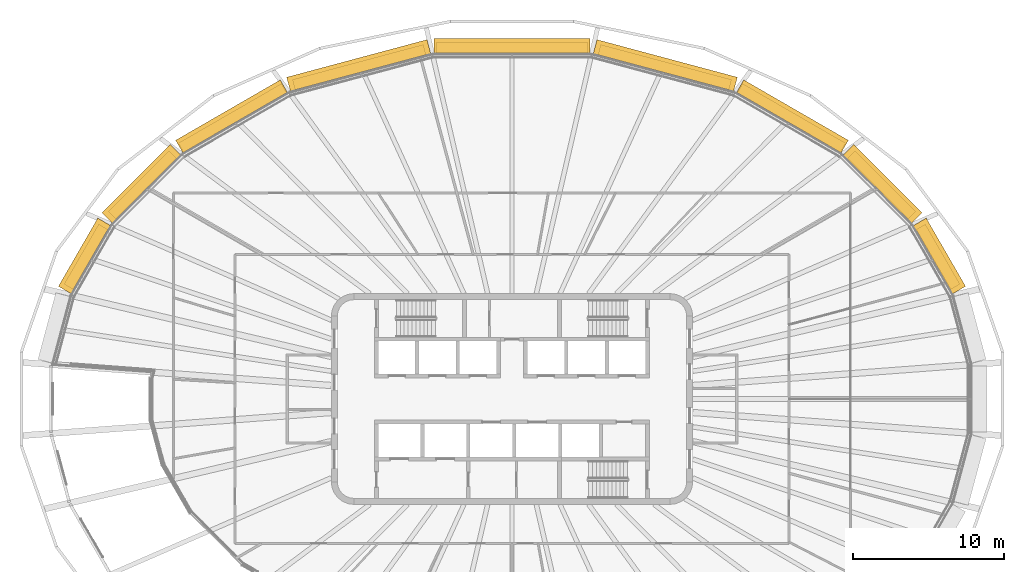
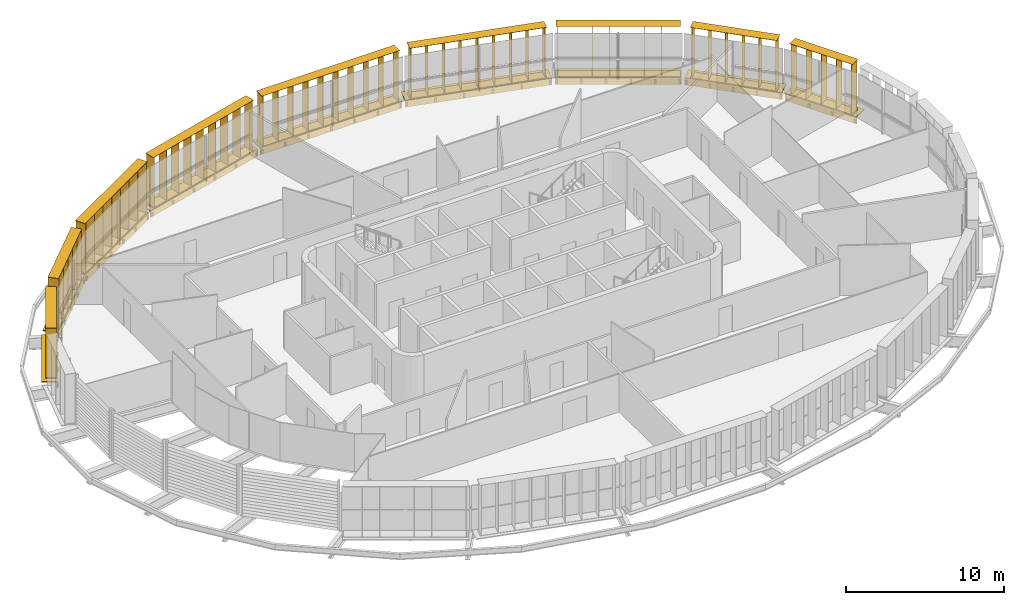
# One storey, part 20 of 20: 18 shading devices.
"""IFC4 building model written with IfcOpenShell, lengths in metres."""

from ifc_helpers import new_model, si_unit, direction, frame, origin, origin_2d, place, context, subcontext, project, spatial, rectangle, extrude, material, type_object, element, save


model = new_model("IFC4")

# Units and contexts
model_context = context("Model", 3, precision=1e-05, world=origin(), true_north=direction((0.0, 1.0)))
body_context = subcontext(model_context, "Body", "Model", "MODEL_VIEW")
ifc_project = project(units=[si_unit("LENGTHUNIT", "METRE"), si_unit("AREAUNIT", "SQUARE_METRE"), si_unit("VOLUMEUNIT", "CUBIC_METRE"), si_unit("PLANEANGLEUNIT", "RADIAN"), si_unit("MASSUNIT", "GRAM", prefix="KILO")], contexts=[model_context])

# Site, building, storey
site_placement = place(None, origin())
site = spatial("IfcSite", under=ifc_project, at=site_placement, CompositionType="ELEMENT")
building_placement = place(site_placement, origin())
building = spatial("IfcBuilding", under=site, at=building_placement, Name="Sahrelin Media Tower", CompositionType="ELEMENT")
storey_placement = place(building_placement, frame((0.0, 0.0, 225.60009765625)))
storey = spatial("IfcBuildingStorey", under=building, at=storey_placement, Name="L48", CompositionType="ELEMENT", Elevation=225.60009765625)

# Shading devices
ifc_material = material(Name="Champagne anodised aluminium 6063-T6", Category="aluminium")
shading_device_type_1 = type_object("IfcShadingDeviceType", Name="Fin cassette", PredefinedType="USERDEFINED", material=ifc_material)
placement_1 = place(storey_placement, frame((27.927978515625, 9.235595703125, 0.0), z_axis=(0.0, 0.0, 1.0), x_axis=(0.500011000363, -0.866019052629, 0.0)))
element("IfcShadingDevice", 1, at=placement_1, inside=storey, type_object=shading_device_type_1, Name="L48:FIN:L48-02", ObjectType="FIN", PredefinedType="USERDEFINED", context=body_context, shape_type="SweptSolid", body=[
    extrude(rectangle(XDim=4.60009765625, YDim=0.699951171875, at=origin_2d()), frame((0.0, 0.419921875, 0.0)), (0.0, 0.0, 1.0), 0.02001953125),
    extrude(rectangle(XDim=4.60009765625, YDim=0.699951171875, at=origin_2d()), frame((0.0, 0.419921875, 3.89990234375)), (0.0, 0.0, 1.0), 0.02001953125),
    extrude(rectangle(XDim=0.02001953125, YDim=0.699951171875, at=origin_2d()), frame((-2.199951171875, 0.419921875, 0.010009765625), z_axis=(0.0, 0.0, 1.0), x_axis=(1.0, 0.0, 0.0)), (0.0, 0.0, 1.0), 3.89990234375),
    extrude(rectangle(XDim=0.02001953125, YDim=0.699951171875, at=origin_2d()), frame((-1.10009765625, 0.419921875, 0.010009765625), z_axis=(0.0, 0.0, 1.0), x_axis=(1.0, 0.0, 0.0)), (0.0, 0.0, 1.0), 3.89990234375),
    extrude(rectangle(XDim=0.02001953125, YDim=0.699951171875, at=origin_2d()), frame((0.0, 0.419921875, 0.010009765625), z_axis=(0.0, 0.0, 1.0), x_axis=(1.0, 0.0, 0.0)), (0.0, 0.0, 1.0), 3.89990234375),
    extrude(rectangle(XDim=0.02001953125, YDim=0.699951171875, at=origin_2d()), frame((1.10009765625, 0.419921875, 0.010009765625), z_axis=(0.0, 0.0, 1.0), x_axis=(1.0, 0.0, 0.0)), (0.0, 0.0, 1.0), 3.89990234375),
    extrude(rectangle(XDim=0.02001953125, YDim=0.699951171875, at=origin_2d()), frame((2.199951171875, 0.419921875, 0.010009765625), z_axis=(0.0, 0.0, 1.0), x_axis=(1.0, 0.0, 0.0)), (0.0, 0.0, 1.0), 3.89990234375),
])
placement_2 = place(storey_placement, frame((24.240478515625, 13.916015625, 0.0), z_axis=(0.0, 0.0, 1.0), x_axis=(0.707106781187, -0.707106781187, 0.0)))
element("IfcShadingDevice", 2, at=placement_2, inside=storey, type_object=shading_device_type_1, Name="L48:FIN:L48-03", ObjectType="FIN", PredefinedType="USERDEFINED", context=body_context, shape_type="SweptSolid", body=[
    extrude(rectangle(XDim=5.699951171875, YDim=0.699951171875, at=origin_2d()), frame((0.0, 0.419921875, 0.0)), (0.0, 0.0, 1.0), 0.02001953125),
    extrude(rectangle(XDim=5.699951171875, YDim=0.699951171875, at=origin_2d()), frame((0.0, 0.419921875, 3.89990234375)), (0.0, 0.0, 1.0), 0.02001953125),
    extrude(rectangle(XDim=0.02001953125, YDim=0.699951171875, at=origin_2d()), frame((-2.75, 0.419921875, 0.010009765625), z_axis=(0.0, 0.0, 1.0), x_axis=(1.0, 0.0, 0.0)), (0.0, 0.0, 1.0), 3.89990234375),
    extrude(rectangle(XDim=0.02001953125, YDim=0.699951171875, at=origin_2d()), frame((-1.64990234375, 0.419921875, 0.010009765625), z_axis=(0.0, 0.0, 1.0), x_axis=(1.0, 0.0, 0.0)), (0.0, 0.0, 1.0), 3.89990234375),
    extrude(rectangle(XDim=0.02001953125, YDim=0.699951171875, at=origin_2d()), frame((-0.550048828125, 0.419921875, 0.010009765625), z_axis=(0.0, 0.0, 1.0), x_axis=(1.0, 0.0, 0.0)), (0.0, 0.0, 1.0), 3.89990234375),
    extrude(rectangle(XDim=0.02001953125, YDim=0.699951171875, at=origin_2d()), frame((0.550048828125, 0.419921875, 0.010009765625), z_axis=(0.0, 0.0, 1.0), x_axis=(1.0, 0.0, 0.0)), (0.0, 0.0, 1.0), 3.89990234375),
    extrude(rectangle(XDim=0.02001953125, YDim=0.699951171875, at=origin_2d()), frame((1.64990234375, 0.419921875, 0.010009765625), z_axis=(0.0, 0.0, 1.0), x_axis=(1.0, 0.0, 0.0)), (0.0, 0.0, 1.0), 3.89990234375),
    extrude(rectangle(XDim=0.02001953125, YDim=0.699951171875, at=origin_2d()), frame((2.75, 0.419921875, 0.010009765625), z_axis=(0.0, 0.0, 1.0), x_axis=(1.0, 0.0, 0.0)), (0.0, 0.0, 1.0), 3.89990234375),
])
placement_3 = place(storey_placement, frame((18.352294921875, 18.30078125, 0.0), z_axis=(0.0, 0.0, 1.0), x_axis=(0.866019052629, -0.500011000363, 0.0)))
element("IfcShadingDevice", 3, at=placement_3, inside=storey, type_object=shading_device_type_1, Name="L48:FIN:L48-04", ObjectType="FIN", PredefinedType="USERDEFINED", context=body_context, shape_type="SweptSolid", body=[
    extrude(rectangle(XDim=7.89990234375, YDim=0.699951171875, at=origin_2d()), frame((0.0, 0.419921875, 0.0)), (0.0, 0.0, 1.0), 0.02001953125),
    extrude(rectangle(XDim=7.89990234375, YDim=0.699951171875, at=origin_2d()), frame((0.0, 0.419921875, 3.89990234375)), (0.0, 0.0, 1.0), 0.02001953125),
    extrude(rectangle(XDim=0.02001953125, YDim=0.699951171875, at=origin_2d()), frame((-3.85009765625, 0.419921875, 0.010009765625), z_axis=(0.0, 0.0, 1.0), x_axis=(1.0, 0.0, 0.0)), (0.0, 0.0, 1.0), 3.89990234375),
    extrude(rectangle(XDim=0.02001953125, YDim=0.699951171875, at=origin_2d()), frame((-2.75, 0.419921875, 0.010009765625), z_axis=(0.0, 0.0, 1.0), x_axis=(1.0, 0.0, 0.0)), (0.0, 0.0, 1.0), 3.89990234375),
    extrude(rectangle(XDim=0.02001953125, YDim=0.699951171875, at=origin_2d()), frame((-1.64990234375, 0.419921875, 0.010009765625), z_axis=(0.0, 0.0, 1.0), x_axis=(1.0, 0.0, 0.0)), (0.0, 0.0, 1.0), 3.89990234375),
    extrude(rectangle(XDim=0.02001953125, YDim=0.699951171875, at=origin_2d()), frame((-0.550048828125, 0.419921875, 0.010009765625), z_axis=(0.0, 0.0, 1.0), x_axis=(1.0, 0.0, 0.0)), (0.0, 0.0, 1.0), 3.89990234375),
    extrude(rectangle(XDim=0.02001953125, YDim=0.699951171875, at=origin_2d()), frame((0.550048828125, 0.419921875, 0.010009765625), z_axis=(0.0, 0.0, 1.0), x_axis=(1.0, 0.0, 0.0)), (0.0, 0.0, 1.0), 3.89990234375),
    extrude(rectangle(XDim=0.02001953125, YDim=0.699951171875, at=origin_2d()), frame((1.64990234375, 0.419921875, 0.010009765625), z_axis=(0.0, 0.0, 1.0), x_axis=(1.0, 0.0, 0.0)), (0.0, 0.0, 1.0), 3.89990234375),
    extrude(rectangle(XDim=0.02001953125, YDim=0.699951171875, at=origin_2d()), frame((2.75, 0.419921875, 0.010009765625), z_axis=(0.0, 0.0, 1.0), x_axis=(1.0, 0.0, 0.0)), (0.0, 0.0, 1.0), 3.89990234375),
    extrude(rectangle(XDim=0.02001953125, YDim=0.699951171875, at=origin_2d()), frame((3.85009765625, 0.419921875, 0.010009765625), z_axis=(0.0, 0.0, 1.0), x_axis=(1.0, 0.0, 0.0)), (0.0, 0.0, 1.0), 3.89990234375),
])
placement_4 = place(storey_placement, frame((10.039794921875, 21.62890625, 0.0), z_axis=(0.0, 0.0, 1.0), x_axis=(0.965928857556, -0.258807731996, 0.0)))
element("IfcShadingDevice", 4, at=placement_4, inside=storey, type_object=shading_device_type_1, Name="L48:FIN:L48-05", ObjectType="FIN", PredefinedType="USERDEFINED", context=body_context, shape_type="SweptSolid", body=[
    extrude(rectangle(XDim=9.0, YDim=0.699951171875, at=origin_2d()), frame((0.0, 0.419921875, 0.0)), (0.0, 0.0, 1.0), 0.02001953125),
    extrude(rectangle(XDim=9.0, YDim=0.699951171875, at=origin_2d()), frame((0.0, 0.419921875, 3.89990234375)), (0.0, 0.0, 1.0), 0.02001953125),
    extrude(rectangle(XDim=0.02001953125, YDim=0.699951171875, at=origin_2d()), frame((-4.39990234375, 0.419921875, 0.010009765625), z_axis=(0.0, 0.0, 1.0), x_axis=(1.0, 0.0, 0.0)), (0.0, 0.0, 1.0), 3.89990234375),
    extrude(rectangle(XDim=0.02001953125, YDim=0.699951171875, at=origin_2d()), frame((-3.300048828125, 0.419921875, 0.010009765625), z_axis=(0.0, 0.0, 1.0), x_axis=(1.0, 0.0, 0.0)), (0.0, 0.0, 1.0), 3.89990234375),
    extrude(rectangle(XDim=0.02001953125, YDim=0.699951171875, at=origin_2d()), frame((-2.199951171875, 0.419921875, 0.010009765625), z_axis=(0.0, 0.0, 1.0), x_axis=(1.0, 0.0, 0.0)), (0.0, 0.0, 1.0), 3.89990234375),
    extrude(rectangle(XDim=0.02001953125, YDim=0.699951171875, at=origin_2d()), frame((-1.10009765625, 0.419921875, 0.010009765625), z_axis=(0.0, 0.0, 1.0), x_axis=(1.0, 0.0, 0.0)), (0.0, 0.0, 1.0), 3.89990234375),
    extrude(rectangle(XDim=0.02001953125, YDim=0.699951171875, at=origin_2d()), frame((0.0, 0.419921875, 0.010009765625), z_axis=(0.0, 0.0, 1.0), x_axis=(1.0, 0.0, 0.0)), (0.0, 0.0, 1.0), 3.89990234375),
    extrude(rectangle(XDim=0.02001953125, YDim=0.699951171875, at=origin_2d()), frame((1.10009765625, 0.419921875, 0.010009765625), z_axis=(0.0, 0.0, 1.0), x_axis=(1.0, 0.0, 0.0)), (0.0, 0.0, 1.0), 3.89990234375),
    extrude(rectangle(XDim=0.02001953125, YDim=0.699951171875, at=origin_2d()), frame((2.199951171875, 0.419921875, 0.010009765625), z_axis=(0.0, 0.0, 1.0), x_axis=(1.0, 0.0, 0.0)), (0.0, 0.0, 1.0), 3.89990234375),
    extrude(rectangle(XDim=0.02001953125, YDim=0.699951171875, at=origin_2d()), frame((3.300048828125, 0.419921875, 0.010009765625), z_axis=(0.0, 0.0, 1.0), x_axis=(1.0, 0.0, 0.0)), (0.0, 0.0, 1.0), 3.89990234375),
    extrude(rectangle(XDim=0.02001953125, YDim=0.699951171875, at=origin_2d()), frame((4.39990234375, 0.419921875, 0.010009765625), z_axis=(0.0, 0.0, 1.0), x_axis=(1.0, 0.0, 0.0)), (0.0, 0.0, 1.0), 3.89990234375),
])
placement_5 = place(storey_placement, frame((0.0, 22.90283203125, 0.0), z_axis=(0.0, 0.0, 1.0), x_axis=(1.0, 0.0, 0.0)))
element("IfcShadingDevice", 5, at=placement_5, inside=storey, type_object=shading_device_type_1, Name="L48:FIN:L48-06", ObjectType="FIN", PredefinedType="USERDEFINED", context=body_context, shape_type="SweptSolid", body=[
    extrude(rectangle(XDim=10.10009765625, YDim=0.699951171875, at=origin_2d()), frame((0.0, 0.419921875, 0.0)), (0.0, 0.0, 1.0), 0.02001953125),
    extrude(rectangle(XDim=10.10009765625, YDim=0.699951171875, at=origin_2d()), frame((0.0, 0.419921875, 3.89990234375)), (0.0, 0.0, 1.0), 0.02001953125),
    extrude(rectangle(XDim=0.02001953125, YDim=0.699951171875, at=origin_2d()), frame((-4.949951171875, 0.419921875, 0.010009765625), z_axis=(0.0, 0.0, 1.0), x_axis=(1.0, 0.0, 0.0)), (0.0, 0.0, 1.0), 3.89990234375),
    extrude(rectangle(XDim=0.02001953125, YDim=0.699951171875, at=origin_2d()), frame((-3.85009765625, 0.419921875, 0.010009765625), z_axis=(0.0, 0.0, 1.0), x_axis=(1.0, 0.0, 0.0)), (0.0, 0.0, 1.0), 3.89990234375),
    extrude(rectangle(XDim=0.02001953125, YDim=0.699951171875, at=origin_2d()), frame((-2.75, 0.419921875, 0.010009765625), z_axis=(0.0, 0.0, 1.0), x_axis=(1.0, 0.0, 0.0)), (0.0, 0.0, 1.0), 3.89990234375),
    extrude(rectangle(XDim=0.02001953125, YDim=0.699951171875, at=origin_2d()), frame((-1.64990234375, 0.419921875, 0.010009765625), z_axis=(0.0, 0.0, 1.0), x_axis=(1.0, 0.0, 0.0)), (0.0, 0.0, 1.0), 3.89990234375),
    extrude(rectangle(XDim=0.02001953125, YDim=0.699951171875, at=origin_2d()), frame((-0.550048828125, 0.419921875, 0.010009765625), z_axis=(0.0, 0.0, 1.0), x_axis=(1.0, 0.0, 0.0)), (0.0, 0.0, 1.0), 3.89990234375),
    extrude(rectangle(XDim=0.02001953125, YDim=0.699951171875, at=origin_2d()), frame((0.550048828125, 0.419921875, 0.010009765625), z_axis=(0.0, 0.0, 1.0), x_axis=(1.0, 0.0, 0.0)), (0.0, 0.0, 1.0), 3.89990234375),
    extrude(rectangle(XDim=0.02001953125, YDim=0.699951171875, at=origin_2d()), frame((1.64990234375, 0.419921875, 0.010009765625), z_axis=(0.0, 0.0, 1.0), x_axis=(1.0, 0.0, 0.0)), (0.0, 0.0, 1.0), 3.89990234375),
    extrude(rectangle(XDim=0.02001953125, YDim=0.699951171875, at=origin_2d()), frame((2.75, 0.419921875, 0.010009765625), z_axis=(0.0, 0.0, 1.0), x_axis=(1.0, 0.0, 0.0)), (0.0, 0.0, 1.0), 3.89990234375),
    extrude(rectangle(XDim=0.02001953125, YDim=0.699951171875, at=origin_2d()), frame((3.85009765625, 0.419921875, 0.010009765625), z_axis=(0.0, 0.0, 1.0), x_axis=(1.0, 0.0, 0.0)), (0.0, 0.0, 1.0), 3.89990234375),
    extrude(rectangle(XDim=0.02001953125, YDim=0.699951171875, at=origin_2d()), frame((4.949951171875, 0.419921875, 0.010009765625), z_axis=(0.0, 0.0, 1.0), x_axis=(1.0, 0.0, 0.0)), (0.0, 0.0, 1.0), 3.89990234375),
])
placement_6 = place(storey_placement, frame((-10.039794921875, 21.628662109375, 0.0), z_axis=(0.0, 0.0, 1.0), x_axis=(0.965928857556, 0.258807731996, 0.0)))
element("IfcShadingDevice", 6, at=placement_6, inside=storey, type_object=shading_device_type_1, Name="L48:FIN:L48-07", ObjectType="FIN", PredefinedType="USERDEFINED", context=body_context, shape_type="SweptSolid", body=[
    extrude(rectangle(XDim=9.0, YDim=0.699951171875, at=origin_2d()), frame((0.0, 0.419921875, 0.0)), (0.0, 0.0, 1.0), 0.02001953125),
    extrude(rectangle(XDim=9.0, YDim=0.699951171875, at=origin_2d()), frame((0.0, 0.419921875, 3.89990234375)), (0.0, 0.0, 1.0), 0.02001953125),
    extrude(rectangle(XDim=0.02001953125, YDim=0.699951171875, at=origin_2d()), frame((-4.39990234375, 0.419921875, 0.010009765625), z_axis=(0.0, 0.0, 1.0), x_axis=(1.0, 0.0, 0.0)), (0.0, 0.0, 1.0), 3.89990234375),
    extrude(rectangle(XDim=0.02001953125, YDim=0.699951171875, at=origin_2d()), frame((-3.300048828125, 0.419921875, 0.010009765625), z_axis=(0.0, 0.0, 1.0), x_axis=(1.0, 0.0, 0.0)), (0.0, 0.0, 1.0), 3.89990234375),
    extrude(rectangle(XDim=0.02001953125, YDim=0.699951171875, at=origin_2d()), frame((-2.199951171875, 0.419921875, 0.010009765625), z_axis=(0.0, 0.0, 1.0), x_axis=(1.0, 0.0, 0.0)), (0.0, 0.0, 1.0), 3.89990234375),
    extrude(rectangle(XDim=0.02001953125, YDim=0.699951171875, at=origin_2d()), frame((-1.10009765625, 0.419921875, 0.010009765625), z_axis=(0.0, 0.0, 1.0), x_axis=(1.0, 0.0, 0.0)), (0.0, 0.0, 1.0), 3.89990234375),
    extrude(rectangle(XDim=0.02001953125, YDim=0.699951171875, at=origin_2d()), frame((0.0, 0.419921875, 0.010009765625), z_axis=(0.0, 0.0, 1.0), x_axis=(1.0, 0.0, 0.0)), (0.0, 0.0, 1.0), 3.89990234375),
    extrude(rectangle(XDim=0.02001953125, YDim=0.699951171875, at=origin_2d()), frame((1.10009765625, 0.419921875, 0.010009765625), z_axis=(0.0, 0.0, 1.0), x_axis=(1.0, 0.0, 0.0)), (0.0, 0.0, 1.0), 3.89990234375),
    extrude(rectangle(XDim=0.02001953125, YDim=0.699951171875, at=origin_2d()), frame((2.199951171875, 0.419921875, 0.010009765625), z_axis=(0.0, 0.0, 1.0), x_axis=(1.0, 0.0, 0.0)), (0.0, 0.0, 1.0), 3.89990234375),
    extrude(rectangle(XDim=0.02001953125, YDim=0.699951171875, at=origin_2d()), frame((3.300048828125, 0.419921875, 0.010009765625), z_axis=(0.0, 0.0, 1.0), x_axis=(1.0, 0.0, 0.0)), (0.0, 0.0, 1.0), 3.89990234375),
    extrude(rectangle(XDim=0.02001953125, YDim=0.699951171875, at=origin_2d()), frame((4.39990234375, 0.419921875, 0.010009765625), z_axis=(0.0, 0.0, 1.0), x_axis=(1.0, 0.0, 0.0)), (0.0, 0.0, 1.0), 3.89990234375),
])
placement_7 = place(storey_placement, frame((-18.352294921875, 18.30078125, 0.0), z_axis=(0.0, 0.0, 1.0), x_axis=(0.866019052629, 0.500011000363, 0.0)))
element("IfcShadingDevice", 7, at=placement_7, inside=storey, type_object=shading_device_type_1, Name="L48:FIN:L48-08", ObjectType="FIN", PredefinedType="USERDEFINED", context=body_context, shape_type="SweptSolid", body=[
    extrude(rectangle(XDim=7.89990234375, YDim=0.699951171875, at=origin_2d()), frame((0.0, 0.419921875, 0.0)), (0.0, 0.0, 1.0), 0.02001953125),
    extrude(rectangle(XDim=7.89990234375, YDim=0.699951171875, at=origin_2d()), frame((0.0, 0.419921875, 3.89990234375)), (0.0, 0.0, 1.0), 0.02001953125),
    extrude(rectangle(XDim=0.02001953125, YDim=0.699951171875, at=origin_2d()), frame((-3.85009765625, 0.419921875, 0.010009765625), z_axis=(0.0, 0.0, 1.0), x_axis=(1.0, 0.0, 0.0)), (0.0, 0.0, 1.0), 3.89990234375),
    extrude(rectangle(XDim=0.02001953125, YDim=0.699951171875, at=origin_2d()), frame((-2.75, 0.419921875, 0.010009765625), z_axis=(0.0, 0.0, 1.0), x_axis=(1.0, 0.0, 0.0)), (0.0, 0.0, 1.0), 3.89990234375),
    extrude(rectangle(XDim=0.02001953125, YDim=0.699951171875, at=origin_2d()), frame((-1.64990234375, 0.419921875, 0.010009765625), z_axis=(0.0, 0.0, 1.0), x_axis=(1.0, 0.0, 0.0)), (0.0, 0.0, 1.0), 3.89990234375),
    extrude(rectangle(XDim=0.02001953125, YDim=0.699951171875, at=origin_2d()), frame((-0.550048828125, 0.419921875, 0.010009765625), z_axis=(0.0, 0.0, 1.0), x_axis=(1.0, 0.0, 0.0)), (0.0, 0.0, 1.0), 3.89990234375),
    extrude(rectangle(XDim=0.02001953125, YDim=0.699951171875, at=origin_2d()), frame((0.550048828125, 0.419921875, 0.010009765625), z_axis=(0.0, 0.0, 1.0), x_axis=(1.0, 0.0, 0.0)), (0.0, 0.0, 1.0), 3.89990234375),
    extrude(rectangle(XDim=0.02001953125, YDim=0.699951171875, at=origin_2d()), frame((1.64990234375, 0.419921875, 0.010009765625), z_axis=(0.0, 0.0, 1.0), x_axis=(1.0, 0.0, 0.0)), (0.0, 0.0, 1.0), 3.89990234375),
    extrude(rectangle(XDim=0.02001953125, YDim=0.699951171875, at=origin_2d()), frame((2.75, 0.419921875, 0.010009765625), z_axis=(0.0, 0.0, 1.0), x_axis=(1.0, 0.0, 0.0)), (0.0, 0.0, 1.0), 3.89990234375),
    extrude(rectangle(XDim=0.02001953125, YDim=0.699951171875, at=origin_2d()), frame((3.85009765625, 0.419921875, 0.010009765625), z_axis=(0.0, 0.0, 1.0), x_axis=(1.0, 0.0, 0.0)), (0.0, 0.0, 1.0), 3.89990234375),
])
placement_8 = place(storey_placement, frame((-24.240478515625, 13.916015625, 0.0), z_axis=(0.0, 0.0, 1.0), x_axis=(0.707106781187, 0.707106781187, 0.0)))
element("IfcShadingDevice", 8, at=placement_8, inside=storey, type_object=shading_device_type_1, Name="L48:FIN:L48-09", ObjectType="FIN", PredefinedType="USERDEFINED", context=body_context, shape_type="SweptSolid", body=[
    extrude(rectangle(XDim=5.699951171875, YDim=0.699951171875, at=origin_2d()), frame((0.0, 0.419921875, 0.0)), (0.0, 0.0, 1.0), 0.02001953125),
    extrude(rectangle(XDim=5.699951171875, YDim=0.699951171875, at=origin_2d()), frame((0.0, 0.419921875, 3.89990234375)), (0.0, 0.0, 1.0), 0.02001953125),
    extrude(rectangle(XDim=0.02001953125, YDim=0.699951171875, at=origin_2d()), frame((-2.75, 0.419921875, 0.010009765625), z_axis=(0.0, 0.0, 1.0), x_axis=(1.0, 0.0, 0.0)), (0.0, 0.0, 1.0), 3.89990234375),
    extrude(rectangle(XDim=0.02001953125, YDim=0.699951171875, at=origin_2d()), frame((-1.64990234375, 0.419921875, 0.010009765625), z_axis=(0.0, 0.0, 1.0), x_axis=(1.0, 0.0, 0.0)), (0.0, 0.0, 1.0), 3.89990234375),
    extrude(rectangle(XDim=0.02001953125, YDim=0.699951171875, at=origin_2d()), frame((-0.550048828125, 0.419921875, 0.010009765625), z_axis=(0.0, 0.0, 1.0), x_axis=(1.0, 0.0, 0.0)), (0.0, 0.0, 1.0), 3.89990234375),
    extrude(rectangle(XDim=0.02001953125, YDim=0.699951171875, at=origin_2d()), frame((0.550048828125, 0.419921875, 0.010009765625), z_axis=(0.0, 0.0, 1.0), x_axis=(1.0, 0.0, 0.0)), (0.0, 0.0, 1.0), 3.89990234375),
    extrude(rectangle(XDim=0.02001953125, YDim=0.699951171875, at=origin_2d()), frame((1.64990234375, 0.419921875, 0.010009765625), z_axis=(0.0, 0.0, 1.0), x_axis=(1.0, 0.0, 0.0)), (0.0, 0.0, 1.0), 3.89990234375),
    extrude(rectangle(XDim=0.02001953125, YDim=0.699951171875, at=origin_2d()), frame((2.75, 0.419921875, 0.010009765625), z_axis=(0.0, 0.0, 1.0), x_axis=(1.0, 0.0, 0.0)), (0.0, 0.0, 1.0), 3.89990234375),
])
placement_9 = place(storey_placement, frame((-27.927734375, 9.235595703125, 0.0), z_axis=(0.0, 0.0, 1.0), x_axis=(0.500011000363, 0.866019052629, 0.0)))
element("IfcShadingDevice", 9, at=placement_9, inside=storey, type_object=shading_device_type_1, Name="L48:FIN:L48-10", ObjectType="FIN", PredefinedType="USERDEFINED", context=body_context, shape_type="SweptSolid", body=[
    extrude(rectangle(XDim=4.60009765625, YDim=0.699951171875, at=origin_2d()), frame((0.0, 0.419921875, 0.0)), (0.0, 0.0, 1.0), 0.02001953125),
    extrude(rectangle(XDim=4.60009765625, YDim=0.699951171875, at=origin_2d()), frame((0.0, 0.419921875, 3.89990234375)), (0.0, 0.0, 1.0), 0.02001953125),
    extrude(rectangle(XDim=0.02001953125, YDim=0.699951171875, at=origin_2d()), frame((-2.199951171875, 0.419921875, 0.010009765625), z_axis=(0.0, 0.0, 1.0), x_axis=(1.0, 0.0, 0.0)), (0.0, 0.0, 1.0), 3.89990234375),
    extrude(rectangle(XDim=0.02001953125, YDim=0.699951171875, at=origin_2d()), frame((-1.10009765625, 0.419921875, 0.010009765625), z_axis=(0.0, 0.0, 1.0), x_axis=(1.0, 0.0, 0.0)), (0.0, 0.0, 1.0), 3.89990234375),
    extrude(rectangle(XDim=0.02001953125, YDim=0.699951171875, at=origin_2d()), frame((0.0, 0.419921875, 0.010009765625), z_axis=(0.0, 0.0, 1.0), x_axis=(1.0, 0.0, 0.0)), (0.0, 0.0, 1.0), 3.89990234375),
    extrude(rectangle(XDim=0.02001953125, YDim=0.699951171875, at=origin_2d()), frame((1.10009765625, 0.419921875, 0.010009765625), z_axis=(0.0, 0.0, 1.0), x_axis=(1.0, 0.0, 0.0)), (0.0, 0.0, 1.0), 3.89990234375),
    extrude(rectangle(XDim=0.02001953125, YDim=0.699951171875, at=origin_2d()), frame((2.199951171875, 0.419921875, 0.010009765625), z_axis=(0.0, 0.0, 1.0), x_axis=(1.0, 0.0, 0.0)), (0.0, 0.0, 1.0), 3.89990234375),
])
shading_device_type_2 = type_object("IfcShadingDeviceType", Name="Sunshade band", PredefinedType="USERDEFINED", material=ifc_material)
element("IfcShadingDevice", 10, at=placement_1, inside=storey, type_object=shading_device_type_2, Name="L48:SUN:L48-02", ObjectType="SUNSHADE", PredefinedType="USERDEFINED", context=body_context, shape_type="SweptSolid", body=[
    extrude(rectangle(XDim=5.226318359375, YDim=0.050048828125, at=origin_2d()), frame((0.0, 0.044921875, -0.55126953125)), (0.0, 0.0, 1.0), 0.471435546875),
    extrude(rectangle(XDim=5.226318359375, YDim=1.0, at=origin_2d()), frame((0.0, 0.52001953125, -0.080078125)), (0.0, 0.0, 1.0), 0.080078125),
    extrude(rectangle(XDim=0.10009765625, YDim=0.074951171875, at=origin_2d()), frame((-2.51318359375, -0.017578125, -0.47021484375)), (0.0, 0.0, 1.0), 0.300048828125),
    extrude(rectangle(XDim=0.10009765625, YDim=0.074951171875, at=origin_2d()), frame((-0.837646484375, -0.017578125, -0.47021484375)), (0.0, 0.0, 1.0), 0.300048828125),
    extrude(rectangle(XDim=0.10009765625, YDim=0.074951171875, at=origin_2d()), frame((0.837646484375, -0.017578125, -0.47021484375)), (0.0, 0.0, 1.0), 0.300048828125),
    extrude(rectangle(XDim=0.10009765625, YDim=0.074951171875, at=origin_2d()), frame((2.51318359375, -0.017578125, -0.47021484375)), (0.0, 0.0, 1.0), 0.300048828125),
])
element("IfcShadingDevice", 11, at=placement_2, inside=storey, type_object=shading_device_type_2, Name="L48:SUN:L48-03", ObjectType="SUNSHADE", PredefinedType="USERDEFINED", context=body_context, shape_type="SweptSolid", body=[
    extrude(rectangle(XDim=6.39208984375, YDim=0.050048828125, at=origin_2d()), frame((0.0, 0.044921875, -0.55126953125)), (0.0, 0.0, 1.0), 0.471435546875),
    extrude(rectangle(XDim=6.39208984375, YDim=1.0, at=origin_2d()), frame((0.0, 0.52001953125, -0.080078125)), (0.0, 0.0, 1.0), 0.080078125),
    extrude(rectangle(XDim=0.10009765625, YDim=0.074951171875, at=origin_2d()), frame((-3.09619140625, -0.017578125, -0.47021484375)), (0.0, 0.0, 1.0), 0.300048828125),
    extrude(rectangle(XDim=0.10009765625, YDim=0.074951171875, at=origin_2d()), frame((-1.548095703125, -0.017578125, -0.47021484375)), (0.0, 0.0, 1.0), 0.300048828125),
    extrude(rectangle(XDim=0.10009765625, YDim=0.074951171875, at=origin_2d()), frame((0.0, -0.017578125, -0.47021484375)), (0.0, 0.0, 1.0), 0.300048828125),
    extrude(rectangle(XDim=0.10009765625, YDim=0.074951171875, at=origin_2d()), frame((1.548095703125, -0.017578125, -0.47021484375)), (0.0, 0.0, 1.0), 0.300048828125),
    extrude(rectangle(XDim=0.10009765625, YDim=0.074951171875, at=origin_2d()), frame((3.09619140625, -0.017578125, -0.47021484375)), (0.0, 0.0, 1.0), 0.300048828125),
])
element("IfcShadingDevice", 12, at=placement_3, inside=storey, type_object=shading_device_type_2, Name="L48:SUN:L48-04", ObjectType="SUNSHADE", PredefinedType="USERDEFINED", context=body_context, shape_type="SweptSolid", body=[
    extrude(rectangle(XDim=8.01611328125, YDim=0.050048828125, at=origin_2d()), frame((0.0, 0.044921875, -0.55126953125)), (0.0, 0.0, 1.0), 0.471435546875),
    extrude(rectangle(XDim=8.01611328125, YDim=1.0, at=origin_2d()), frame((0.0, 0.52001953125, -0.080078125)), (0.0, 0.0, 1.0), 0.080078125),
    extrude(rectangle(XDim=0.10009765625, YDim=0.074951171875, at=origin_2d()), frame((-3.907958984375, -0.017578125, -0.47021484375)), (0.0, 0.0, 1.0), 0.300048828125),
    extrude(rectangle(XDim=0.10009765625, YDim=0.074951171875, at=origin_2d()), frame((-2.3447265625, -0.017578125, -0.47021484375)), (0.0, 0.0, 1.0), 0.300048828125),
    extrude(rectangle(XDim=0.10009765625, YDim=0.074951171875, at=origin_2d()), frame((-0.781494140625, -0.017578125, -0.47021484375)), (0.0, 0.0, 1.0), 0.300048828125),
    extrude(rectangle(XDim=0.10009765625, YDim=0.074951171875, at=origin_2d()), frame((0.781494140625, -0.017578125, -0.47021484375)), (0.0, 0.0, 1.0), 0.300048828125),
    extrude(rectangle(XDim=0.10009765625, YDim=0.074951171875, at=origin_2d()), frame((2.3447265625, -0.017578125, -0.47021484375)), (0.0, 0.0, 1.0), 0.300048828125),
    extrude(rectangle(XDim=0.10009765625, YDim=0.074951171875, at=origin_2d()), frame((3.907958984375, -0.017578125, -0.47021484375)), (0.0, 0.0, 1.0), 0.300048828125),
])
element("IfcShadingDevice", 13, at=placement_4, inside=storey, type_object=shading_device_type_2, Name="L48:SUN:L48-05", ObjectType="SUNSHADE", PredefinedType="USERDEFINED", context=body_context, shape_type="SweptSolid", body=[
    extrude(rectangle(XDim=9.645263671875, YDim=0.050048828125, at=origin_2d()), frame((0.0, 0.044921875, -0.55126953125)), (0.0, 0.0, 1.0), 0.471435546875),
    extrude(rectangle(XDim=9.645263671875, YDim=1.0, at=origin_2d()), frame((0.0, 0.52001953125, -0.080078125)), (0.0, 0.0, 1.0), 0.080078125),
    extrude(rectangle(XDim=0.10009765625, YDim=0.074951171875, at=origin_2d()), frame((-4.72265625, -0.017578125, -0.47021484375)), (0.0, 0.0, 1.0), 0.300048828125),
    extrude(rectangle(XDim=0.10009765625, YDim=0.074951171875, at=origin_2d()), frame((-2.83349609375, -0.017578125, -0.47021484375)), (0.0, 0.0, 1.0), 0.300048828125),
    extrude(rectangle(XDim=0.10009765625, YDim=0.074951171875, at=origin_2d()), frame((-0.944580078125, -0.017578125, -0.47021484375)), (0.0, 0.0, 1.0), 0.300048828125),
    extrude(rectangle(XDim=0.10009765625, YDim=0.074951171875, at=origin_2d()), frame((0.944580078125, -0.017578125, -0.47021484375)), (0.0, 0.0, 1.0), 0.300048828125),
    extrude(rectangle(XDim=0.10009765625, YDim=0.074951171875, at=origin_2d()), frame((2.83349609375, -0.017578125, -0.47021484375)), (0.0, 0.0, 1.0), 0.300048828125),
    extrude(rectangle(XDim=0.10009765625, YDim=0.074951171875, at=origin_2d()), frame((4.72265625, -0.017578125, -0.47021484375)), (0.0, 0.0, 1.0), 0.300048828125),
])
element("IfcShadingDevice", 14, at=placement_5, inside=storey, type_object=shading_device_type_2, Name="L48:SUN:L48-06", ObjectType="SUNSHADE", PredefinedType="USERDEFINED", context=body_context, shape_type="SweptSolid", body=[
    extrude(rectangle(XDim=10.369873046875, YDim=0.050048828125, at=origin_2d()), frame((0.0, 0.044921875, -0.55126953125)), (0.0, 0.0, 1.0), 0.471435546875),
    extrude(rectangle(XDim=10.369873046875, YDim=1.0, at=origin_2d()), frame((0.0, 0.52001953125, -0.080078125)), (0.0, 0.0, 1.0), 0.080078125),
    extrude(rectangle(XDim=0.10009765625, YDim=0.074951171875, at=origin_2d()), frame((-5.0849609375, -0.017578125, -0.47021484375)), (0.0, 0.0, 1.0), 0.300048828125),
    extrude(rectangle(XDim=0.10009765625, YDim=0.074951171875, at=origin_2d()), frame((-3.389892578125, -0.017578125, -0.47021484375)), (0.0, 0.0, 1.0), 0.300048828125),
    extrude(rectangle(XDim=0.10009765625, YDim=0.074951171875, at=origin_2d()), frame((-1.695068359375, -0.017578125, -0.47021484375)), (0.0, 0.0, 1.0), 0.300048828125),
    extrude(rectangle(XDim=0.10009765625, YDim=0.074951171875, at=origin_2d()), frame((0.0, -0.017578125, -0.47021484375)), (0.0, 0.0, 1.0), 0.300048828125),
    extrude(rectangle(XDim=0.10009765625, YDim=0.074951171875, at=origin_2d()), frame((1.695068359375, -0.017578125, -0.47021484375)), (0.0, 0.0, 1.0), 0.300048828125),
    extrude(rectangle(XDim=0.10009765625, YDim=0.074951171875, at=origin_2d()), frame((3.389892578125, -0.017578125, -0.47021484375)), (0.0, 0.0, 1.0), 0.300048828125),
    extrude(rectangle(XDim=0.10009765625, YDim=0.074951171875, at=origin_2d()), frame((5.0849609375, -0.017578125, -0.47021484375)), (0.0, 0.0, 1.0), 0.300048828125),
])
element("IfcShadingDevice", 15, at=placement_6, inside=storey, type_object=shading_device_type_2, Name="L48:SUN:L48-07", ObjectType="SUNSHADE", PredefinedType="USERDEFINED", context=body_context, shape_type="SweptSolid", body=[
    extrude(rectangle(XDim=9.645263671875, YDim=0.050048828125, at=origin_2d()), frame((0.0, 0.044921875, -0.55126953125)), (0.0, 0.0, 1.0), 0.471435546875),
    extrude(rectangle(XDim=9.645263671875, YDim=1.0, at=origin_2d()), frame((0.0, 0.52001953125, -0.080078125)), (0.0, 0.0, 1.0), 0.080078125),
    extrude(rectangle(XDim=0.10009765625, YDim=0.074951171875, at=origin_2d()), frame((-4.72265625, -0.017578125, -0.47021484375)), (0.0, 0.0, 1.0), 0.300048828125),
    extrude(rectangle(XDim=0.10009765625, YDim=0.074951171875, at=origin_2d()), frame((-2.83349609375, -0.017578125, -0.47021484375)), (0.0, 0.0, 1.0), 0.300048828125),
    extrude(rectangle(XDim=0.10009765625, YDim=0.074951171875, at=origin_2d()), frame((-0.944580078125, -0.017578125, -0.47021484375)), (0.0, 0.0, 1.0), 0.300048828125),
    extrude(rectangle(XDim=0.10009765625, YDim=0.074951171875, at=origin_2d()), frame((0.944580078125, -0.017578125, -0.47021484375)), (0.0, 0.0, 1.0), 0.300048828125),
    extrude(rectangle(XDim=0.10009765625, YDim=0.074951171875, at=origin_2d()), frame((2.83349609375, -0.017578125, -0.47021484375)), (0.0, 0.0, 1.0), 0.300048828125),
    extrude(rectangle(XDim=0.10009765625, YDim=0.074951171875, at=origin_2d()), frame((4.72265625, -0.017578125, -0.47021484375)), (0.0, 0.0, 1.0), 0.300048828125),
])
element("IfcShadingDevice", 16, at=placement_7, inside=storey, type_object=shading_device_type_2, Name="L48:SUN:L48-08", ObjectType="SUNSHADE", PredefinedType="USERDEFINED", context=body_context, shape_type="SweptSolid", body=[
    extrude(rectangle(XDim=8.01611328125, YDim=0.050048828125, at=origin_2d()), frame((0.0, 0.044921875, -0.55126953125)), (0.0, 0.0, 1.0), 0.471435546875),
    extrude(rectangle(XDim=8.01611328125, YDim=1.0, at=origin_2d()), frame((0.0, 0.52001953125, -0.080078125)), (0.0, 0.0, 1.0), 0.080078125),
    extrude(rectangle(XDim=0.10009765625, YDim=0.074951171875, at=origin_2d()), frame((-3.907958984375, -0.017578125, -0.47021484375)), (0.0, 0.0, 1.0), 0.300048828125),
    extrude(rectangle(XDim=0.10009765625, YDim=0.074951171875, at=origin_2d()), frame((-2.3447265625, -0.017578125, -0.47021484375)), (0.0, 0.0, 1.0), 0.300048828125),
    extrude(rectangle(XDim=0.10009765625, YDim=0.074951171875, at=origin_2d()), frame((-0.781494140625, -0.017578125, -0.47021484375)), (0.0, 0.0, 1.0), 0.300048828125),
    extrude(rectangle(XDim=0.10009765625, YDim=0.074951171875, at=origin_2d()), frame((0.781494140625, -0.017578125, -0.47021484375)), (0.0, 0.0, 1.0), 0.300048828125),
    extrude(rectangle(XDim=0.10009765625, YDim=0.074951171875, at=origin_2d()), frame((2.3447265625, -0.017578125, -0.47021484375)), (0.0, 0.0, 1.0), 0.300048828125),
    extrude(rectangle(XDim=0.10009765625, YDim=0.074951171875, at=origin_2d()), frame((3.907958984375, -0.017578125, -0.47021484375)), (0.0, 0.0, 1.0), 0.300048828125),
])
element("IfcShadingDevice", 17, at=placement_8, inside=storey, type_object=shading_device_type_2, Name="L48:SUN:L48-09", ObjectType="SUNSHADE", PredefinedType="USERDEFINED", context=body_context, shape_type="SweptSolid", body=[
    extrude(rectangle(XDim=6.39208984375, YDim=0.050048828125, at=origin_2d()), frame((0.0, 0.044921875, -0.55126953125)), (0.0, 0.0, 1.0), 0.471435546875),
    extrude(rectangle(XDim=6.39208984375, YDim=1.0, at=origin_2d()), frame((0.0, 0.52001953125, -0.080078125)), (0.0, 0.0, 1.0), 0.080078125),
    extrude(rectangle(XDim=0.10009765625, YDim=0.074951171875, at=origin_2d()), frame((-3.09619140625, -0.017578125, -0.47021484375)), (0.0, 0.0, 1.0), 0.300048828125),
    extrude(rectangle(XDim=0.10009765625, YDim=0.074951171875, at=origin_2d()), frame((-1.548095703125, -0.017578125, -0.47021484375)), (0.0, 0.0, 1.0), 0.300048828125),
    extrude(rectangle(XDim=0.10009765625, YDim=0.074951171875, at=origin_2d()), frame((0.0, -0.017578125, -0.47021484375)), (0.0, 0.0, 1.0), 0.300048828125),
    extrude(rectangle(XDim=0.10009765625, YDim=0.074951171875, at=origin_2d()), frame((1.548095703125, -0.017578125, -0.47021484375)), (0.0, 0.0, 1.0), 0.300048828125),
    extrude(rectangle(XDim=0.10009765625, YDim=0.074951171875, at=origin_2d()), frame((3.09619140625, -0.017578125, -0.47021484375)), (0.0, 0.0, 1.0), 0.300048828125),
])
element("IfcShadingDevice", 18, at=placement_9, inside=storey, type_object=shading_device_type_2, Name="L48:SUN:L48-10", ObjectType="SUNSHADE", PredefinedType="USERDEFINED", context=body_context, shape_type="SweptSolid", body=[
    extrude(rectangle(XDim=5.226318359375, YDim=0.050048828125, at=origin_2d()), frame((0.0, 0.044921875, -0.55126953125)), (0.0, 0.0, 1.0), 0.471435546875),
    extrude(rectangle(XDim=5.226318359375, YDim=1.0, at=origin_2d()), frame((0.0, 0.52001953125, -0.080078125)), (0.0, 0.0, 1.0), 0.080078125),
    extrude(rectangle(XDim=0.10009765625, YDim=0.074951171875, at=origin_2d()), frame((-2.51318359375, -0.017578125, -0.47021484375)), (0.0, 0.0, 1.0), 0.300048828125),
    extrude(rectangle(XDim=0.10009765625, YDim=0.074951171875, at=origin_2d()), frame((-0.837646484375, -0.017578125, -0.47021484375)), (0.0, 0.0, 1.0), 0.300048828125),
    extrude(rectangle(XDim=0.10009765625, YDim=0.074951171875, at=origin_2d()), frame((0.837646484375, -0.017578125, -0.47021484375)), (0.0, 0.0, 1.0), 0.300048828125),
    extrude(rectangle(XDim=0.10009765625, YDim=0.074951171875, at=origin_2d()), frame((2.51318359375, -0.017578125, -0.47021484375)), (0.0, 0.0, 1.0), 0.300048828125),
])

save(model, "model.ifc")
